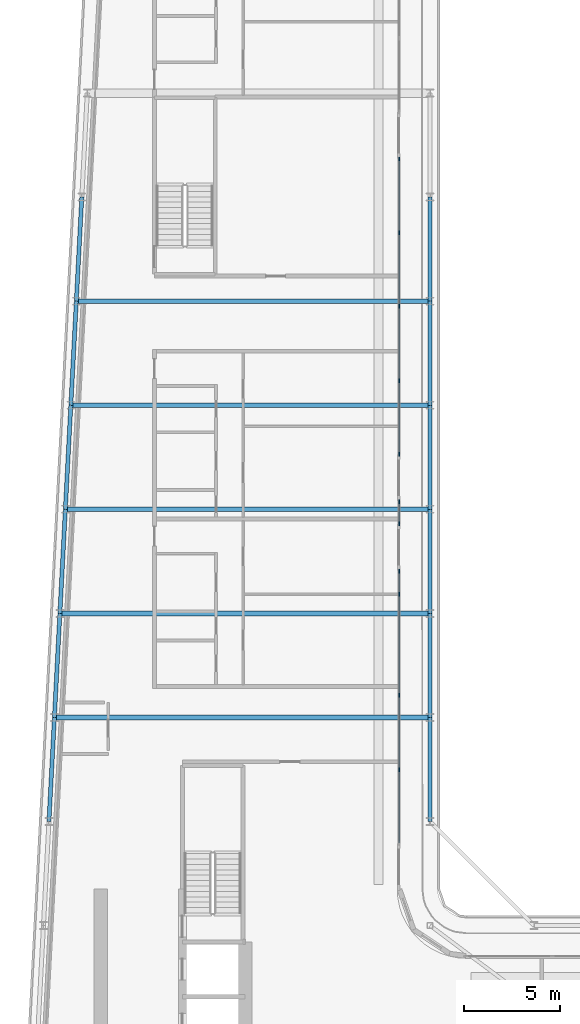
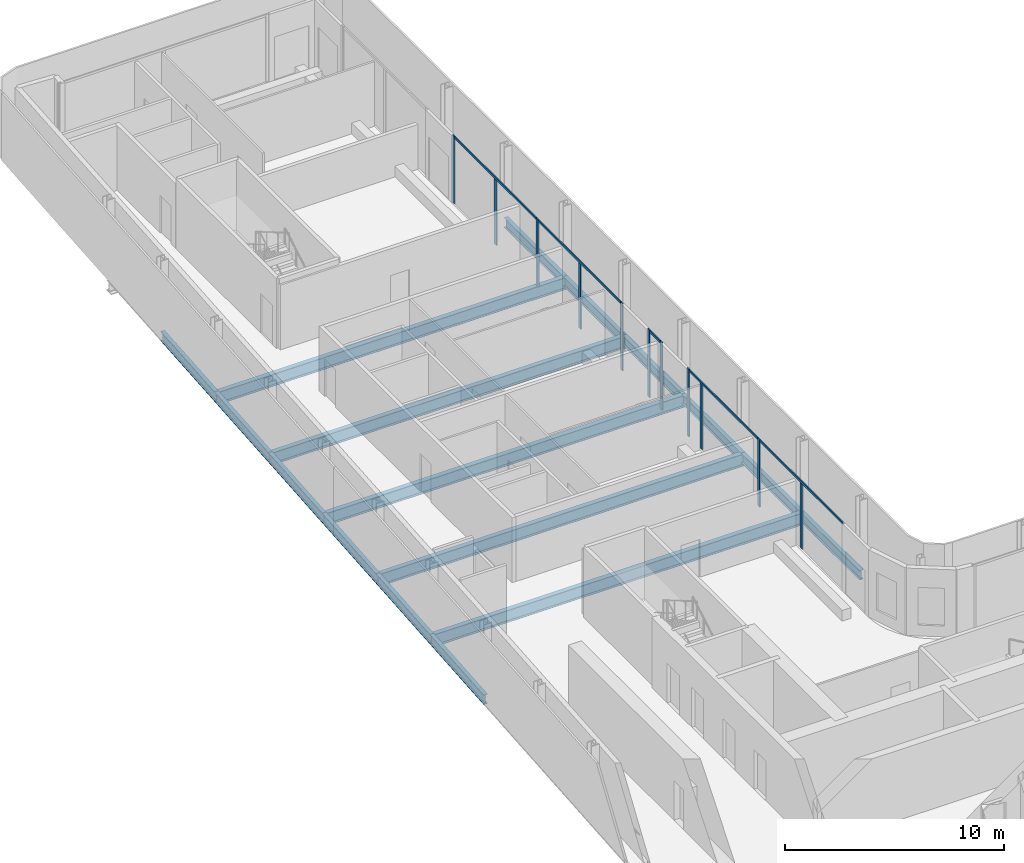
# One storey, part 6 of 22: 17 beams, 16 members, 5 elements without a shape of their own.
"""IFC4 building model written with IfcOpenShell, lengths in metres."""

from ifc_helpers import new_model, si_unit, direction, frame, origin, origin_2d, place, context, subcontext, project, spatial, rectangle, i_section, extrude, material, layer, layer_set, material_profile, profile_set, type_object, element, aggregate, save


model = new_model("IFC4")

# Units and contexts
model_context = context("Model", 3, precision=1e-05, world=origin(), true_north=direction((0.0, 1.0)))
body_context = subcontext(model_context, "Body", "Model", "MODEL_VIEW")
ifc_project = project(units=[si_unit("LENGTHUNIT", "METRE"), si_unit("AREAUNIT", "SQUARE_METRE"), si_unit("VOLUMEUNIT", "CUBIC_METRE"), si_unit("PLANEANGLEUNIT", "RADIAN"), si_unit("MASSUNIT", "GRAM", prefix="KILO")], contexts=[model_context])

# Site, building, storey
site_placement = place(None, origin())
site = spatial("IfcSite", under=ifc_project, at=site_placement, CompositionType="ELEMENT")
building_placement = place(site_placement, origin())
building = spatial("IfcBuilding", under=site, at=building_placement, Name="Kheshtan School and Residences Tower", CompositionType="ELEMENT")
storey_placement = place(building_placement, frame((0.0, 0.0, 251.300048828125)))
storey = spatial("IfcBuildingStorey", under=building, at=storey_placement, Name="L59", CompositionType="ELEMENT", Elevation=251.300048828125)

# Beams
ifc_material_1 = material(Name="Steel ASTM A992 Grade 50", Category="steel")
ifc_material_profile_1 = material_profile(ifc_material_1, i_section(OverallWidth=0.2529296875, OverallDepth=0.677978515625, WebThickness=0.01171875, FlangeThickness=0.016357421875, FilletRadius=0.0146484375, at=origin_2d()), Name="W690x125")
ifc_profile_set_1 = profile_set([ifc_material_profile_1], Name="Steel ASTM A992 Grade 50")
beam_type_1 = type_object("IfcBeamType", Name="Beam FB6 W690x125 ASTM A992 Grade 50", PredefinedType="BEAM", material=ifc_profile_set_1)
beam_1_placement = place(storey_placement, frame((47.60009765625, 78.0, -0.489013671875), z_axis=(-1.0, 0.0, 0.0), x_axis=(0.0, -1.0, 0.0)))
element("IfcBeam", 1, at=beam_1_placement, inside=storey, type_object=beam_type_1, Name="Floor beam C089", PredefinedType="BEAM", context=body_context, shape_type="SweptSolid", body=[
    extrude(i_section(OverallWidth=0.2529296875, OverallDepth=0.677978515625, WebThickness=0.01171875, FlangeThickness=0.016357421875, FilletRadius=0.0146484375, at=origin_2d()), origin(), (0.0, 0.0, 1.0), 18.357177734375),
])
beam_2_placement = place(storey_placement, frame((47.60009765625, 67.199951171875, -0.489013671875), z_axis=(-1.0, 0.0, 0.0), x_axis=(0.0, -1.0, 0.0)))
element("IfcBeam", 2, at=beam_2_placement, inside=storey, type_object=beam_type_1, Name="Floor beam C085", PredefinedType="BEAM", context=body_context, shape_type="SweptSolid", body=[
    extrude(i_section(OverallWidth=0.2529296875, OverallDepth=0.677978515625, WebThickness=0.01171875, FlangeThickness=0.016357421875, FilletRadius=0.0146484375, at=origin_2d()), origin(), (0.0, 0.0, 1.0), 18.926025390625),
])
beam_3_placement = place(storey_placement, frame((47.60009765625, 56.39990234375, -0.489013671875), z_axis=(-1.0, 0.0, 0.0), x_axis=(0.0, -1.0, 0.0)))
element("IfcBeam", 3, at=beam_3_placement, inside=storey, type_object=beam_type_1, Name="Floor beam C081", PredefinedType="BEAM", context=body_context, shape_type="SweptSolid", body=[
    extrude(i_section(OverallWidth=0.2529296875, OverallDepth=0.677978515625, WebThickness=0.01171875, FlangeThickness=0.016357421875, FilletRadius=0.0146484375, at=origin_2d()), origin(), (0.0, 0.0, 1.0), 19.494140625),
])
beam_4_placement = place(storey_placement, frame((28.389892578125, 61.800048828125, -0.489013671875), z_axis=(1.0, 0.0, 0.0), x_axis=(0.0, 1.0, 0.0)))
element("IfcBeam", 4, at=beam_4_placement, inside=storey, type_object=beam_type_1, Name="Floor beam C082", PredefinedType="BEAM", context=body_context, shape_type="SweptSolid", body=[
    extrude(i_section(OverallWidth=0.2529296875, OverallDepth=0.677978515625, WebThickness=0.01171875, FlangeThickness=0.016357421875, FilletRadius=0.0146484375, at=origin_2d()), origin(), (0.0, 0.0, 1.0), 19.210205078125),
])
beam_5_placement = place(storey_placement, frame((28.9580078125, 72.60009765625, -0.489013671875), z_axis=(1.0, 0.0, 0.0), x_axis=(0.0, 1.0, 0.0)))
element("IfcBeam", 5, at=beam_5_placement, inside=storey, type_object=beam_type_1, Name="Floor beam C086", PredefinedType="BEAM", context=body_context, shape_type="SweptSolid", body=[
    extrude(i_section(OverallWidth=0.2529296875, OverallDepth=0.677978515625, WebThickness=0.01171875, FlangeThickness=0.016357421875, FilletRadius=0.0146484375, at=origin_2d()), origin(), (0.0, 0.0, 1.0), 18.64208984375),
])
ifc_material_profile_2 = material_profile(ifc_material_1, i_section(OverallWidth=0.208984375, OverallDepth=0.532958984375, WebThickness=0.01025390625, FlangeThickness=0.015625, FilletRadius=0.013916015625, at=origin_2d()), Name="W530x92")
ifc_profile_set_2 = profile_set([ifc_material_profile_2], Name="Steel ASTM A992 Grade 50")
beam_type_2 = type_object("IfcBeamType", Name="Beam SP3 W530x92 ASTM A992 Grade 50", PredefinedType="BEAM", material=ifc_profile_set_2)
for number, where, z_axis, x_axis, name in (
    (6, (47.60009765625, 83.39990234375, -0.41650390625), (0.0, -1.0, 0.0), (1.0, 0.0, 0.0), "Spandrel beam C091-C089"),
    (7, (47.60009765625, 78.0, -0.41650390625), (0.0, -1.0, 0.0), (1.0, 0.0, 0.0), "Spandrel beam C089-C087"),
):
    element("IfcBeam", number, at=place(storey_placement, frame(where, z_axis=z_axis, x_axis=x_axis)), inside=storey, type_object=beam_type_2, Name=name, PredefinedType="BEAM", context=body_context, shape_type="SweptSolid", body=[
        extrude(i_section(OverallWidth=0.208984375, OverallDepth=0.532958984375, WebThickness=0.01025390625, FlangeThickness=0.015625, FilletRadius=0.013916015625, at=origin_2d()), origin(), (0.0, 0.0, 1.0), 5.39990234375),
    ])
beam_6_placement = place(storey_placement, frame((47.60009765625, 72.60009765625, -0.41650390625), z_axis=(0.0, -1.0, 0.0), x_axis=(1.0, 0.0, 0.0)))
element("IfcBeam", 8, at=beam_6_placement, inside=storey, type_object=beam_type_2, Name="Spandrel beam C087-C085", PredefinedType="BEAM", context=body_context, shape_type="SweptSolid", body=[
    extrude(i_section(OverallWidth=0.208984375, OverallDepth=0.532958984375, WebThickness=0.01025390625, FlangeThickness=0.015625, FilletRadius=0.013916015625, at=origin_2d()), origin(), (0.0, 0.0, 1.0), 5.400146484375),
])
beam_7_placement = place(storey_placement, frame((47.60009765625, 67.199951171875, -0.41650390625), z_axis=(0.0, -1.0, 0.0), x_axis=(1.0, 0.0, 0.0)))
element("IfcBeam", 9, at=beam_7_placement, inside=storey, type_object=beam_type_2, Name="Spandrel beam C085-C083", PredefinedType="BEAM", context=body_context, shape_type="SweptSolid", body=[
    extrude(i_section(OverallWidth=0.208984375, OverallDepth=0.532958984375, WebThickness=0.01025390625, FlangeThickness=0.015625, FilletRadius=0.013916015625, at=origin_2d()), origin(), (0.0, 0.0, 1.0), 5.39990234375),
])
beam_8_placement = place(storey_placement, frame((47.60009765625, 61.800048828125, -0.41650390625), z_axis=(0.0, -1.0, 0.0), x_axis=(1.0, 0.0, 0.0)))
element("IfcBeam", 10, at=beam_8_placement, inside=storey, type_object=beam_type_2, Name="Spandrel beam C083-C081", PredefinedType="BEAM", context=body_context, shape_type="SweptSolid", body=[
    extrude(i_section(OverallWidth=0.208984375, OverallDepth=0.532958984375, WebThickness=0.01025390625, FlangeThickness=0.015625, FilletRadius=0.013916015625, at=origin_2d()), origin(), (0.0, 0.0, 1.0), 5.400146484375),
])
beam_9_placement = place(storey_placement, frame((47.60009765625, 56.39990234375, -0.41650390625), z_axis=(0.0, -1.0, 0.0), x_axis=(1.0, 0.0, 0.0)))
element("IfcBeam", 11, at=beam_9_placement, inside=storey, type_object=beam_type_2, Name="Spandrel beam C081-C079", PredefinedType="BEAM", context=body_context, shape_type="SweptSolid", body=[
    extrude(i_section(OverallWidth=0.208984375, OverallDepth=0.532958984375, WebThickness=0.01025390625, FlangeThickness=0.015625, FilletRadius=0.013916015625, at=origin_2d()), origin(), (0.0, 0.0, 1.0), 5.39990234375),
])
beam_10_placement = place(storey_placement, frame((27.822021484375, 51.0, -0.41650390625), z_axis=(0.05250906864, 0.998620447272, 0.0), x_axis=(-0.998620447272, 0.05250906864, 0.0)))
element("IfcBeam", 12, at=beam_10_placement, inside=storey, type_object=beam_type_2, Name="Spandrel beam C078-C080", PredefinedType="BEAM", context=body_context, shape_type="SweptSolid", body=[
    extrude(i_section(OverallWidth=0.208984375, OverallDepth=0.532958984375, WebThickness=0.01025390625, FlangeThickness=0.015625, FilletRadius=0.013916015625, at=origin_2d()), origin(), (0.0, 0.0, 1.0), 5.407470703125),
])
beam_11_placement = place(storey_placement, frame((28.10595703125, 56.39990234375, -0.41650390625), z_axis=(0.05250670125, 0.998620571751, 0.0), x_axis=(-0.998620571751, 0.05250670125, 0.0)))
element("IfcBeam", 13, at=beam_11_placement, inside=storey, type_object=beam_type_2, Name="Spandrel beam C080-C082", PredefinedType="BEAM", context=body_context, shape_type="SweptSolid", body=[
    extrude(i_section(OverallWidth=0.208984375, OverallDepth=0.532958984375, WebThickness=0.01025390625, FlangeThickness=0.015625, FilletRadius=0.013916015625, at=origin_2d()), origin(), (0.0, 0.0, 1.0), 5.40771484375),
])
beam_12_placement = place(storey_placement, frame((28.389892578125, 61.800048828125, -0.41650390625), z_axis=(0.052554093665, 0.998618078766, 0.0), x_axis=(-0.998618078766, 0.052554093665, 0.0)))
element("IfcBeam", 14, at=beam_12_placement, inside=storey, type_object=beam_type_2, Name="Spandrel beam C082-C084", PredefinedType="BEAM", context=body_context, shape_type="SweptSolid", body=[
    extrude(i_section(OverallWidth=0.208984375, OverallDepth=0.532958984375, WebThickness=0.01025390625, FlangeThickness=0.015625, FilletRadius=0.013916015625, at=origin_2d()), origin(), (0.0, 0.0, 1.0), 5.407470703125),
])
beam_13_placement = place(storey_placement, frame((28.674072265625, 67.199951171875, -0.41650390625), z_axis=(0.05250670125, 0.998620571751, 0.0), x_axis=(-0.998620571751, 0.05250670125, 0.0)))
element("IfcBeam", 15, at=beam_13_placement, inside=storey, type_object=beam_type_2, Name="Spandrel beam C084-C086", PredefinedType="BEAM", context=body_context, shape_type="SweptSolid", body=[
    extrude(i_section(OverallWidth=0.208984375, OverallDepth=0.532958984375, WebThickness=0.01025390625, FlangeThickness=0.015625, FilletRadius=0.013916015625, at=origin_2d()), origin(), (0.0, 0.0, 1.0), 5.40771484375),
])
for number, where, z_axis, x_axis, name in (
    (16, (28.9580078125, 72.60009765625, -0.41650390625), (0.052689166816, 0.998610961136, 0.0), (-0.998610961136, 0.052689166816, 0.0), "Spandrel beam C086-C088"),
    (17, (29.242919921875, 78.0, -0.41650390625), (0.052554093665, 0.998618078766, 0.0), (-0.998618078766, 0.052554093665, 0.0), "Spandrel beam C088-C090"),
):
    element("IfcBeam", number, at=place(storey_placement, frame(where, z_axis=z_axis, x_axis=x_axis)), inside=storey, type_object=beam_type_2, Name=name, PredefinedType="BEAM", context=body_context, shape_type="SweptSolid", body=[
        extrude(i_section(OverallWidth=0.208984375, OverallDepth=0.532958984375, WebThickness=0.01025390625, FlangeThickness=0.015625, FilletRadius=0.013916015625, at=origin_2d()), origin(), (0.0, 0.0, 1.0), 5.407470703125),
    ])

# Curtain wall, members
ifc_material_2 = material(Name="Clear low-e glass in thermally broken aluminium frame", Category="aluminium")
ifc_layer = layer(ifc_material_2, 0.199951171875)
ifc_layer_set = layer_set([ifc_layer], Name="Curtain wall CW-L")
curtain_wall_type = type_object("IfcCurtainWallType", Name="Curtain wall CW-L", PredefinedType="NOTDEFINED", material=ifc_layer_set)
curtain_wall_1_placement = place(storey_placement, origin())
curtain_wall_1 = element("IfcCurtainWall", 18, at=curtain_wall_1_placement, inside=storey, type_object=curtain_wall_type, Name="Curtain wall CWL8", PredefinedType="NOTDEFINED")
ifc_material_3 = material(Name="Thermally broken aluminium, dark bronze anodised", Category="aluminium")
ifc_material_profile_3 = material_profile(ifc_material_3, rectangle(XDim=0.06005859375, YDim=0.199951171875, at=origin_2d()), Name="CW-L mullion 60x200")
ifc_profile_set_3 = profile_set([ifc_material_profile_3], Name="Thermally broken aluminium, dark bronze anodised")
member_type_1 = type_object("IfcMemberType", Name="CW-L mullion 60x200", PredefinedType="MULLION", material=ifc_profile_set_3)
member_1_placement = place(storey_placement, frame((46.0, 85.3759765625, 0.0), z_axis=(0.0, 0.0, 1.0), x_axis=(1.0, 0.0, 0.0)))
member_1 = element("IfcMember", 19, at=member_1_placement, type_object=member_type_1, Name="CWL8 mullion 1", PredefinedType="MULLION", context=body_context, shape_type="SweptSolid", body=[
    extrude(rectangle(XDim=0.06005859375, YDim=0.199951171875, at=origin_2d()), origin(), (0.0, 0.0, 1.0), 3.75),
])
member_2_placement = place(storey_placement, frame((46.0, 81.55908203125, 0.0), z_axis=(0.0, 0.0, 1.0), x_axis=(1.0, 0.0, 0.0)))
member_2 = element("IfcMember", 20, at=member_2_placement, type_object=member_type_1, Name="CWL8 mullion 2", PredefinedType="MULLION", context=body_context, shape_type="SweptSolid", body=[
    extrude(rectangle(XDim=0.06005859375, YDim=0.199951171875, at=origin_2d()), origin(), (0.0, 0.0, 1.0), 3.6298828125),
])
member_3_placement = place(storey_placement, frame((46.0, 77.741943359375, 0.0), z_axis=(0.0, 0.0, 1.0), x_axis=(1.0, 0.0, 0.0)))
member_3 = element("IfcMember", 21, at=member_3_placement, type_object=member_type_1, Name="CWL8 mullion 3", PredefinedType="MULLION", context=body_context, shape_type="SweptSolid", body=[
    extrude(rectangle(XDim=0.06005859375, YDim=0.199951171875, at=origin_2d()), origin(), (0.0, 0.0, 1.0), 3.75),
])

curtain_wall_2_placement = place(storey_placement, origin())
curtain_wall_2 = element("IfcCurtainWall", 22, at=curtain_wall_2_placement, inside=storey, type_object=curtain_wall_type, Name="Curtain wall CWL8", PredefinedType="NOTDEFINED")
member_4_placement = place(storey_placement, frame((46.0, 73.864990234375, 0.0), z_axis=(0.0, 0.0, 1.0), x_axis=(1.0, 0.0, 0.0)))
member_4 = element("IfcMember", 23, at=member_4_placement, type_object=member_type_1, Name="CWL8 mullion 2", PredefinedType="MULLION", context=body_context, shape_type="SweptSolid", body=[
    extrude(rectangle(XDim=0.06005859375, YDim=0.199951171875, at=origin_2d()), origin(), (0.0, 0.0, 1.0), 3.6298828125),
])
member_5_placement = place(storey_placement, frame((46.0, 70.048095703125, 0.0), z_axis=(0.0, 0.0, 1.0), x_axis=(1.0, 0.0, 0.0)))
member_5 = element("IfcMember", 24, at=member_5_placement, type_object=member_type_1, Name="CWL8 mullion 3", PredefinedType="MULLION", context=body_context, shape_type="SweptSolid", body=[
    extrude(rectangle(XDim=0.06005859375, YDim=0.199951171875, at=origin_2d()), origin(), (0.0, 0.0, 1.0), 3.75),
])

curtain_wall_3_placement = place(storey_placement, origin())
curtain_wall_3 = element("IfcCurtainWall", 25, at=curtain_wall_3_placement, inside=storey, type_object=curtain_wall_type, Name="Curtain wall CWL8g", PredefinedType="NOTDEFINED")
member_6_placement = place(storey_placement, frame((46.0, 67.587890625, 0.0), z_axis=(0.0, 0.0, 1.0), x_axis=(1.0, 0.0, 0.0)))
member_6 = element("IfcMember", 26, at=member_6_placement, type_object=member_type_1, Name="CWL8g mullion 1", PredefinedType="MULLION", context=body_context, shape_type="SweptSolid", body=[
    extrude(rectangle(XDim=0.06005859375, YDim=0.199951171875, at=origin_2d()), origin(), (0.0, 0.0, 1.0), 3.75),
])
member_7_placement = place(storey_placement, frame((46.0, 66.447998046875, 0.0), z_axis=(0.0, 0.0, 1.0), x_axis=(1.0, 0.0, 0.0)))
member_7 = element("IfcMember", 27, at=member_7_placement, type_object=member_type_1, Name="CWL8g mullion 2", PredefinedType="MULLION", context=body_context, shape_type="SweptSolid", body=[
    extrude(rectangle(XDim=0.06005859375, YDim=0.199951171875, at=origin_2d()), origin(), (0.0, 0.0, 1.0), 3.75),
])

curtain_wall_4_placement = place(storey_placement, origin())
curtain_wall_4 = element("IfcCurtainWall", 28, at=curtain_wall_4_placement, inside=storey, type_object=curtain_wall_type, Name="Curtain wall CWL8k", PredefinedType="NOTDEFINED")
member_8_placement = place(storey_placement, frame((46.0, 63.988037109375, 0.0), z_axis=(0.0, 0.0, 1.0), x_axis=(1.0, 0.0, 0.0)))
member_8 = element("IfcMember", 29, at=member_8_placement, type_object=member_type_1, Name="CWL8k mullion 1", PredefinedType="MULLION", context=body_context, shape_type="SweptSolid", body=[
    extrude(rectangle(XDim=0.06005859375, YDim=0.199951171875, at=origin_2d()), origin(), (0.0, 0.0, 1.0), 3.75),
])
member_9_placement = place(storey_placement, frame((46.0, 62.800048828125, 0.0), z_axis=(0.0, 0.0, 1.0), x_axis=(1.0, 0.0, 0.0)))
member_9 = element("IfcMember", 30, at=member_9_placement, type_object=member_type_1, Name="CWL8k mullion 2", PredefinedType="MULLION", context=body_context, shape_type="SweptSolid", body=[
    extrude(rectangle(XDim=0.06005859375, YDim=0.199951171875, at=origin_2d()), origin(), (0.0, 0.0, 1.0), 3.6298828125),
])
member_10_placement = place(storey_placement, frame((46.0, 57.553955078125, 0.0), z_axis=(0.0, 0.0, 1.0), x_axis=(1.0, 0.0, 0.0)))
member_10 = element("IfcMember", 31, at=member_10_placement, type_object=member_type_1, Name="CWL8k mullion 3", PredefinedType="MULLION", context=body_context, shape_type="SweptSolid", body=[
    extrude(rectangle(XDim=0.06005859375, YDim=0.199951171875, at=origin_2d()), origin(), (0.0, 0.0, 1.0), 3.75),
])

# Curtain wall, member
curtain_wall_5_placement = place(storey_placement, origin())
curtain_wall_5 = element("IfcCurtainWall", 32, at=curtain_wall_5_placement, inside=storey, type_object=curtain_wall_type, Name="Curtain wall CWL8", PredefinedType="NOTDEFINED")
member_11_placement = place(storey_placement, frame((46.0, 53.677001953125, 0.0), z_axis=(0.0, 0.0, 1.0), x_axis=(1.0, 0.0, 0.0)))
member_11 = element("IfcMember", 33, at=member_11_placement, type_object=member_type_1, Name="CWL8 mullion 2", PredefinedType="MULLION", context=body_context, shape_type="SweptSolid", body=[
    extrude(rectangle(XDim=0.06005859375, YDim=0.199951171875, at=origin_2d()), origin(), (0.0, 0.0, 1.0), 3.6298828125),
])

# Member
ifc_material_profile_4 = material_profile(ifc_material_3, rectangle(XDim=0.06005859375, YDim=0.1201171875, at=origin_2d()), Name="CW-L transom 60x120")
ifc_profile_set_4 = profile_set([ifc_material_profile_4], Name="Thermally broken aluminium, dark bronze anodised")
member_type_2 = type_object("IfcMemberType", Name="CW-L transom 60x120", PredefinedType="USERDEFINED", material=ifc_profile_set_4)
member_12_placement = place(storey_placement, frame((46.0, 85.345947265625, 3.68994140625), z_axis=(0.0, -1.0, 0.0), x_axis=(1.0, 0.0, 0.0)))
member_12 = element("IfcMember", 34, at=member_12_placement, type_object=member_type_2, Name="CWL8 transom 1", ObjectType="TRANSOM", PredefinedType="USERDEFINED", context=body_context, shape_type="SweptSolid", body=[
    extrude(rectangle(XDim=0.06005859375, YDim=0.1201171875, at=origin_2d()), origin(), (0.0, 0.0, 1.0), 7.573974609375),
])

aggregate(curtain_wall_1, [member_1, member_2, member_3, member_12])

member_13_placement = place(storey_placement, frame((46.0, 77.7119140625, 3.68994140625), z_axis=(0.0, -1.0, 0.0), x_axis=(1.0, 0.0, 0.0)))
member_13 = element("IfcMember", 35, at=member_13_placement, type_object=member_type_2, Name="CWL8 transom 1", ObjectType="TRANSOM", PredefinedType="USERDEFINED", context=body_context, shape_type="SweptSolid", body=[
    extrude(rectangle(XDim=0.06005859375, YDim=0.1201171875, at=origin_2d()), origin(), (0.0, 0.0, 1.0), 7.634033203125),
])

aggregate(curtain_wall_2, [member_4, member_5, member_13])

member_14_placement = place(storey_placement, frame((46.0, 67.55810546875, 3.68994140625), z_axis=(0.0, -1.0, 0.0), x_axis=(1.0, 0.0, 0.0)))
member_14 = element("IfcMember", 36, at=member_14_placement, type_object=member_type_2, Name="CWL8g transom 1", ObjectType="TRANSOM", PredefinedType="USERDEFINED", context=body_context, shape_type="SweptSolid", body=[
    extrude(rectangle(XDim=0.06005859375, YDim=0.1201171875, at=origin_2d()), origin(), (0.0, 0.0, 1.0), 1.080078125),
])

aggregate(curtain_wall_3, [member_6, member_7, member_14])

member_15_placement = place(storey_placement, frame((46.0, 63.9580078125, 3.68994140625), z_axis=(0.0, -1.0, 0.0), x_axis=(1.0, 0.0, 0.0)))
member_15 = element("IfcMember", 37, at=member_15_placement, type_object=member_type_2, Name="CWL8k transom 1", ObjectType="TRANSOM", PredefinedType="USERDEFINED", context=body_context, shape_type="SweptSolid", body=[
    extrude(rectangle(XDim=0.06005859375, YDim=0.1201171875, at=origin_2d()), origin(), (0.0, 0.0, 1.0), 6.3740234375),
])

aggregate(curtain_wall_4, [member_8, member_9, member_10, member_15])

member_16_placement = place(storey_placement, frame((46.0, 57.52392578125, 3.68994140625), z_axis=(0.0, -1.0, 0.0), x_axis=(1.0, 0.0, 0.0)))
member_16 = element("IfcMember", 38, at=member_16_placement, type_object=member_type_2, Name="CWL8 transom 1", ObjectType="TRANSOM", PredefinedType="USERDEFINED", context=body_context, shape_type="SweptSolid", body=[
    extrude(rectangle(XDim=0.06005859375, YDim=0.1201171875, at=origin_2d()), origin(), (0.0, 0.0, 1.0), 7.634033203125),
])

aggregate(curtain_wall_5, [member_11, member_16])

save(model, "model.ifc")
